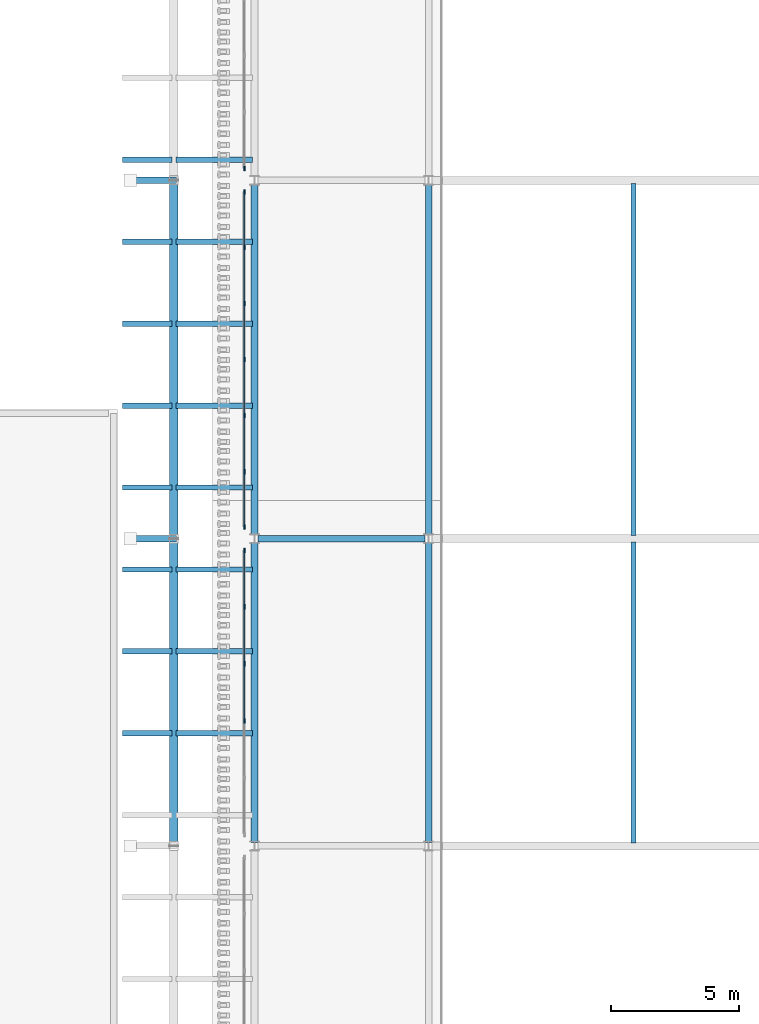
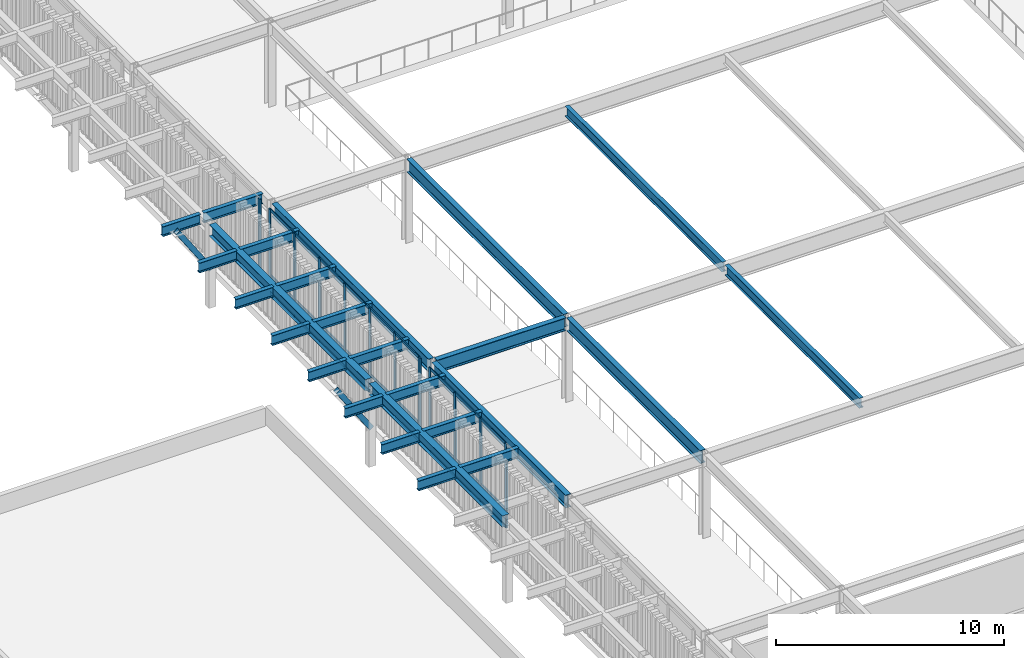
# One storey, part 49 of 126: 43 members, 23 beams, 3 elements without a shape of their own.
"""IFC4 building model written with IfcOpenShell, lengths in metres."""

import ifcopenshell
import ifcopenshell.guid

model = None  # the IFC model being written
_history = None  # IfcOwnerHistory: only IFC2X3 demands one
_inside = {}  # id of a spatial element -> (the spatial element, [elements in it])
_under = {}  # id of a project, library or spatial element -> (it, [spatial elements below it])
_declared = {}  # id of a project -> (the project, [libraries it declares])
_typed = {}  # id of a type object -> (the type object, [elements of that type])
_made_of = {}  # id of a material, layer set ... -> (it, [elements and type objects made of it])


def new_model(schema):
    """Start an empty IFC model of exactly this schema.

    Asked for "IFC4X3", IfcOpenShell would pick the latest addendum, in which some entities
    have other attributes; the version numbers below select the first issue.
    IFC2X3 requires an IfcOwnerHistory on every rooted entity: one is made here for all.
    """
    global model, _history
    if schema == "IFC4X3":
        model = ifcopenshell.file(schema_version=(4, 3, 0, 0))
    else:
        model = ifcopenshell.file(schema=schema)
    _inside.clear()
    _under.clear()
    _declared.clear()
    _typed.clear()
    _made_of.clear()
    _history = None
    if model.schema == "IFC2X3":
        org = make("IfcOrganization", Name="unknown")
        user = make(
            "IfcPersonAndOrganization",
            ThePerson=make("IfcPerson", FamilyName="unknown"),
            TheOrganization=org,
        )
        app = make(
            "IfcApplication",
            ApplicationDeveloper=org,
            Version="unknown",
            ApplicationFullName="unknown",
            ApplicationIdentifier="unknown",
        )
        _history = make(
            "IfcOwnerHistory",
            OwningUser=user,
            OwningApplication=app,
            ChangeAction="ADDED",
            CreationDate=0,
        )
    return model


def make(cls, **values):
    """One entity of the class cls with the attributes given. An attribute that is None is left unset."""
    return model.create_entity(
        cls, **{name: value for name, value in values.items() if value is not None}
    )


def rooted(cls, **values):
    """An entity with a GlobalId (a new one), such as an element, a storey or a relation."""
    return make(cls, GlobalId=ifcopenshell.guid.new(), OwnerHistory=_history, **values)


def si_unit(unit_type, name, prefix=None):
    """IfcSIUnit, for example si_unit("LENGTHUNIT", "METRE", prefix="MILLI")."""
    return make("IfcSIUnit", UnitType=unit_type, Prefix=prefix, Name=name)


def derived_unit(unit_type, elements):
    """IfcDerivedUnit: a product of units, each with its exponent."""
    return make(
        "IfcDerivedUnit",
        Elements=[
            make("IfcDerivedUnitElement", Unit=unit, Exponent=power)
            for unit, power in elements
        ],
        UnitType=unit_type,
    )


def assignment(units):
    """IfcUnitAssignment: the units of a project."""
    return None if units is None else make("IfcUnitAssignment", Units=units)


def point(xyz):
    """IfcCartesianPoint."""
    return None if xyz is None else make("IfcCartesianPoint", Coordinates=xyz)


def direction(xyz):
    """IfcDirection."""
    return None if xyz is None else make("IfcDirection", DirectionRatios=xyz)


def frame(location, z_axis=None, x_axis=None):
    """IfcAxis2Placement3D, a coordinate frame: its origin and axes. An axis left out is left unset."""
    return make(
        "IfcAxis2Placement3D",
        Location=point(location),
        Axis=direction(z_axis),
        RefDirection=direction(x_axis),
    )


def frame_2d(location, x_axis=None):
    """IfcAxis2Placement2D, a coordinate frame in the plane: its origin and x axis."""
    return make(
        "IfcAxis2Placement2D", Location=point(location), RefDirection=direction(x_axis)
    )


def origin():
    """The frame at (0, 0, 0) with its axes left unset."""
    return frame((0.0, 0.0, 0.0))


def origin_2d():
    """The frame at (0, 0) in the plane with its x axis left unset."""
    return frame_2d((0.0, 0.0))


def place(relative_to, where):
    """IfcLocalPlacement: puts the frame where relative to a parent placement (None: the world)."""
    return make(
        "IfcLocalPlacement", PlacementRelTo=relative_to, RelativePlacement=where
    )


def context(
    kind, dimensions, precision=None, world=None, true_north=None, identifier=None
):
    """IfcGeometricRepresentationContext, for example the 3D "Model" context."""
    return make(
        "IfcGeometricRepresentationContext",
        ContextIdentifier=identifier,
        ContextType=kind,
        CoordinateSpaceDimension=dimensions,
        Precision=precision,
        WorldCoordinateSystem=world,
        TrueNorth=true_north,
    )


def subcontext(parent, identifier, kind, view, scale=None):
    """IfcGeometricRepresentationSubContext, for example "Body" below "Model"."""
    return make(
        "IfcGeometricRepresentationSubContext",
        ContextIdentifier=identifier,
        ContextType=kind,
        ParentContext=parent,
        TargetScale=scale,
        TargetView=view,
    )


def project(units=None, contexts=None):
    """IfcProject with its units and contexts."""
    return rooted(
        "IfcProject",
        Name="project",
        RepresentationContexts=contexts,
        UnitsInContext=assignment(units),
    )


def spatial(cls, under=None, at=None, **own):
    """A site, building, storey or space (cls), placed at a placement, below another one or the project."""
    s = rooted(cls, ObjectPlacement=at, **own)
    if under is not None:
        _under.setdefault(under.id(), (under, []))[1].append(s)
    return s


def profile(cls, at=None, kind="AREA", **sizes):
    """A parametric profile (cls). Its sizes go by their IFC names, for example OverallWidth=200.0."""
    return make(cls, ProfileType=kind, Position=at, **sizes)


def rectangle(**sizes):
    """IfcRectangleProfileDef."""
    return profile("IfcRectangleProfileDef", **sizes)


def hollow_rectangle(**sizes):
    """IfcRectangleHollowProfileDef."""
    return profile("IfcRectangleHollowProfileDef", **sizes)


def i_section(**sizes):
    """IfcIShapeProfileDef."""
    return profile("IfcIShapeProfileDef", **sizes)


def extrude(swept, where, along, depth):
    """IfcExtrudedAreaSolid: the profile swept, set in the frame where, extruded along a direction by depth."""
    return make(
        "IfcExtrudedAreaSolid",
        SweptArea=swept,
        Position=where,
        ExtrudedDirection=direction(along),
        Depth=depth,
    )


def shape(context_of_items, identifier, shape_type, items):
    """IfcShapeRepresentation: the items that make up one representation, for example the "Body"."""
    return make(
        "IfcShapeRepresentation",
        ContextOfItems=context_of_items,
        RepresentationIdentifier=identifier,
        RepresentationType=shape_type,
        Items=items,
    )


def material(Name=None, Category=None):
    """IfcMaterial."""
    return make("IfcMaterial", Name=Name, Category=Category)


def layer(
    of_material, thickness, ventilated=None, Name=None, Category=None, Priority=None
):
    """IfcMaterialLayer: one layer of a wall or slab, of a material (None: an air gap)."""
    return make(
        "IfcMaterialLayer",
        Material=of_material,
        LayerThickness=thickness,
        IsVentilated=ventilated,
        Name=Name,
        Category=Category,
        Priority=Priority,
    )


def layer_set(layers, Name=None):
    """IfcMaterialLayerSet."""
    return make("IfcMaterialLayerSet", MaterialLayers=layers, LayerSetName=Name)


def material_profile(
    of_material, cross_section, Name=None, Category=None, Priority=None
):
    """IfcMaterialProfile: a cross section and its material."""
    return make(
        "IfcMaterialProfile",
        Name=Name,
        Material=of_material,
        Profile=cross_section,
        Priority=Priority,
        Category=Category,
    )


def profile_set(profiles, Name=None, composite=None):
    """IfcMaterialProfileSet."""
    return make(
        "IfcMaterialProfileSet",
        Name=Name,
        MaterialProfiles=profiles,
        CompositeProfile=composite,
    )


def made_of(thing, what):
    """Note that an element or type object is made of a material, layer set ...; save() writes the relation."""
    if what is not None:
        _made_of.setdefault(what.id(), (what, []))[1].append(thing)
    return thing


def type_object(cls, material=None, **own):
    """A type object (cls), such as IfcWallType, which elements share."""
    return made_of(rooted(cls, **own), material)


def element(
    cls,
    number,
    at=None,
    inside=None,
    cuts=None,
    type_object=None,
    material=None,
    context=None,
    identifier="Body",
    shape_type=None,
    held_by="IfcProductDefinitionShape",
    body=None,
    shapes=None,
    **own,
):
    """One element of the class cls, such as IfcWall. Its Tag is "e" and its number.

    at: its placement. inside: the storey or other place that contains it. cuts: it is an
    opening in that element (IfcRelVoidsElement). A single representation is given by context,
    identifier, shape_type and body (its items); several are given by shapes. held_by: the class
    of the entity that holds the representations. save() writes the other relations.
    """
    e = rooted(cls, Tag="e%d" % number, ObjectPlacement=at, **own)
    if body is not None:
        shapes = [shape(context, identifier, shape_type, body)]
    if shapes is not None:
        e.Representation = make(held_by, Representations=shapes)
    if inside is not None:
        _inside.setdefault(inside.id(), (inside, []))[1].append(e)
    if cuts is not None:
        rooted(
            "IfcRelVoidsElement", RelatingBuildingElement=cuts, RelatedOpeningElement=e
        )
    if type_object is not None:
        _typed.setdefault(type_object.id(), (type_object, []))[1].append(e)
    return made_of(e, material)


def aggregate(whole, parts):
    """IfcRelAggregates: a whole, such as a stair, and the parts it consists of."""
    return rooted("IfcRelAggregates", RelatingObject=whole, RelatedObjects=parts)


def save(model, path):
    """Write the relations noted so far, then the file.

    IfcRelAggregates (storeys below a building ...), IfcRelContainedInSpatialStructure (elements
    in a storey), IfcRelDefinesByType, IfcRelAssociatesMaterial and IfcRelDeclares: one each for
    every whole, place, type object, material and project.
    """
    for whole, parts in _under.values():
        aggregate(whole, parts)
    for where, things in _inside.values():
        rooted(
            "IfcRelContainedInSpatialStructure",
            RelatedElements=things,
            RelatingStructure=where,
        )
    for kind, things in _typed.values():
        rooted("IfcRelDefinesByType", RelatedObjects=things, RelatingType=kind)
    for what, things in _made_of.values():
        rooted("IfcRelAssociatesMaterial", RelatedObjects=things, RelatingMaterial=what)
    for by, libraries in _declared.values():
        rooted("IfcRelDeclares", RelatingContext=by, RelatedDefinitions=libraries)
    model.write(path)


model = new_model("IFC4")

# Units and contexts
model_context = context("Model", 3, precision=1e-05, world=origin(), true_north=direction((0.0, 1.0)))
body_context = subcontext(model_context, "Body", "Model", "MODEL_VIEW")
ifc_project = project(units=[si_unit("LENGTHUNIT", "METRE"), si_unit("AREAUNIT", "SQUARE_METRE"), si_unit("VOLUMEUNIT", "CUBIC_METRE"), si_unit("PLANEANGLEUNIT", "RADIAN"), si_unit("MASSUNIT", "GRAM", prefix="KILO"), derived_unit("THERMALTRANSMITTANCEUNIT", [(si_unit("MASSUNIT", "GRAM", prefix="KILO"), 1), (si_unit("TIMEUNIT", "SECOND"), -3), (si_unit("THERMODYNAMICTEMPERATUREUNIT", "KELVIN"), -1)])], contexts=[model_context])

# Site, building, storey
site_placement = place(None, origin())
site = spatial("IfcSite", under=ifc_project, at=site_placement, CompositionType="ELEMENT")
building_placement = place(site_placement, origin())
building = spatial("IfcBuilding", under=site, at=building_placement, Name="Valcora Ridge Arena", CompositionType="ELEMENT")
storey_placement = place(building_placement, frame((0.0, 0.0, 11.39990234375)))
storey = spatial("IfcBuildingStorey", under=building, at=storey_placement, Name="L02", CompositionType="ELEMENT", Elevation=11.39990234375)

# Beams
ifc_material_1 = material(Name="Steel ASTM A572 Grade 50", Category="steel")
ifc_material_profile_1 = material_profile(ifc_material_1, i_section(OverallWidth=0.324951171875, OverallDepth=0.612060546875, WebThickness=0.0126953125, FlangeThickness=0.01904296875, FilletRadius=0.01806640625, at=origin_2d()), Name="W24X104")
ifc_profile_set_1 = profile_set([ifc_material_profile_1], Name="Steel ASTM A572 Grade 50")
beam_type_1 = type_object("IfcBeamType", Name="TY-BEAM-G-COL-W24", PredefinedType="BEAM", material=ifc_profile_set_1)
beam_1_placement = place(storey_placement, frame((134.050048828125, 28.159912109375, 4.174072265625), z_axis=(0.0, 1.0, 0.0), x_axis=(-1.0, 0.0, 0.0)))
element("IfcBeam", 1, at=beam_1_placement, inside=storey, type_object=beam_type_1, Name="G-COL-W24 BEM-G-COL-W24-0005", PredefinedType="BEAM", context=body_context, shape_type="SweptSolid", body=[
    extrude(i_section(OverallWidth=0.324951171875, OverallDepth=0.612060546875, WebThickness=0.0126953125, FlangeThickness=0.01904296875, FilletRadius=0.01806640625, at=origin_2d()), origin(), (0.0, 0.0, 1.0), 11.68017578125),
])
beam_2_placement = place(storey_placement, frame((134.050048828125, 40.159912109375, 4.174072265625), z_axis=(0.0, 1.0, 0.0), x_axis=(-1.0, 0.0, 0.0)))
element("IfcBeam", 2, at=beam_2_placement, inside=storey, type_object=beam_type_1, Name="G-COL-W24 BEM-G-COL-W24-0007", PredefinedType="BEAM", context=body_context, shape_type="SweptSolid", body=[
    extrude(i_section(OverallWidth=0.324951171875, OverallDepth=0.612060546875, WebThickness=0.0126953125, FlangeThickness=0.01904296875, FilletRadius=0.01806640625, at=origin_2d()), origin(), (0.0, 0.0, 1.0), 13.68017578125),
])
ifc_material_profile_2 = material_profile(ifc_material_1, i_section(OverallWidth=0.256103515625, OverallDepth=0.693115234375, WebThickness=0.014404296875, FlangeThickness=0.023681640625, FilletRadius=0.02001953125, at=origin_2d()), Name="W27X114")
ifc_profile_set_2 = profile_set([ifc_material_profile_2], Name="Steel ASTM A572 Grade 50")
beam_type_2 = type_object("IfcBeamType", Name="TY-BEAM-G-W27X114-X", PredefinedType="BEAM", material=ifc_profile_set_2)
beam_3_placement = place(storey_placement, frame((137.340087890625, 40.0, 4.133544921875), z_axis=(1.0, 0.0, 0.0), x_axis=(0.0, 1.0, 0.0)))
element("IfcBeam", 3, at=beam_3_placement, inside=storey, type_object=beam_type_2, Name="G-W27X114-X BEM-G-W27X114-X-0043", PredefinedType="BEAM", context=body_context, shape_type="SweptSolid", body=[
    extrude(i_section(OverallWidth=0.256103515625, OverallDepth=0.693115234375, WebThickness=0.014404296875, FlangeThickness=0.023681640625, FilletRadius=0.02001953125, at=origin_2d()), origin(), (0.0, 0.0, 1.0), 6.52001953125),
])
ifc_material_profile_3 = material_profile(ifc_material_1, i_section(OverallWidth=0.256103515625, OverallDepth=0.693115234375, WebThickness=0.014404296875, FlangeThickness=0.023681640625, FilletRadius=0.02001953125, at=origin_2d()), Name="W27X114")
ifc_profile_set_3 = profile_set([ifc_material_profile_3], Name="Steel ASTM A572 Grade 50")
beam_type_3 = type_object("IfcBeamType", Name="TY-BEAM-G-W27X114-Y", PredefinedType="BEAM", material=ifc_profile_set_3)
beam_4_placement = place(storey_placement, frame((137.199951171875, 28.139892578125, 4.133544921875), z_axis=(0.0, 1.0, 0.0), x_axis=(-1.0, 0.0, 0.0)))
element("IfcBeam", 4, at=beam_4_placement, inside=storey, type_object=beam_type_3, Name="G-W27X114-Y BEM-G-W27X114-Y-0061", PredefinedType="BEAM", context=body_context, shape_type="SweptSolid", body=[
    extrude(i_section(OverallWidth=0.256103515625, OverallDepth=0.693115234375, WebThickness=0.014404296875, FlangeThickness=0.023681640625, FilletRadius=0.02001953125, at=origin_2d()), origin(), (0.0, 0.0, 1.0), 11.72021484375),
])
beam_5_placement = place(storey_placement, frame((137.199951171875, 40.139892578125, 4.133544921875), z_axis=(0.0, 1.0, 0.0), x_axis=(-1.0, 0.0, 0.0)))
element("IfcBeam", 5, at=beam_5_placement, inside=storey, type_object=beam_type_3, Name="G-W27X114-Y BEM-G-W27X114-Y-0062", PredefinedType="BEAM", context=body_context, shape_type="SweptSolid", body=[
    extrude(i_section(OverallWidth=0.256103515625, OverallDepth=0.693115234375, WebThickness=0.014404296875, FlangeThickness=0.023681640625, FilletRadius=0.02001953125, at=origin_2d()), origin(), (0.0, 0.0, 1.0), 13.72021484375),
])
beam_6_placement = place(storey_placement, frame((144.0, 28.139892578125, 4.133544921875), z_axis=(0.0, 1.0, 0.0), x_axis=(-1.0, 0.0, 0.0)))
element("IfcBeam", 6, at=beam_6_placement, inside=storey, type_object=beam_type_3, Name="G-W27X114-Y BEM-G-W27X114-Y-0067", PredefinedType="BEAM", context=body_context, shape_type="SweptSolid", body=[
    extrude(i_section(OverallWidth=0.256103515625, OverallDepth=0.693115234375, WebThickness=0.014404296875, FlangeThickness=0.023681640625, FilletRadius=0.02001953125, at=origin_2d()), origin(), (0.0, 0.0, 1.0), 11.72021484375),
])
beam_7_placement = place(storey_placement, frame((144.0, 40.139892578125, 4.133544921875), z_axis=(0.0, 1.0, 0.0), x_axis=(-1.0, 0.0, 0.0)))
element("IfcBeam", 7, at=beam_7_placement, inside=storey, type_object=beam_type_3, Name="G-W27X114-Y BEM-G-W27X114-Y-0068", PredefinedType="BEAM", context=body_context, shape_type="SweptSolid", body=[
    extrude(i_section(OverallWidth=0.256103515625, OverallDepth=0.693115234375, WebThickness=0.014404296875, FlangeThickness=0.023681640625, FilletRadius=0.02001953125, at=origin_2d()), origin(), (0.0, 0.0, 1.0), 13.72021484375),
])
ifc_material_profile_4 = material_profile(ifc_material_1, i_section(OverallWidth=0.208984375, OverallDepth=0.532958984375, WebThickness=0.01025390625, FlangeThickness=0.015625, FilletRadius=0.01611328125, at=origin_2d()), Name="W21X62")
ifc_profile_set_4 = profile_set([ifc_material_profile_4], Name="Steel ASTM A572 Grade 50")
beam_type_4 = type_object("IfcBeamType", Name="TY-BEAM-RAF-EAVE-W21", PredefinedType="BEAM", material=ifc_profile_set_4)
for number, where, z_axis, x_axis, name in (
    (8, (134.1298828125, 32.39990234375, 4.213623046875), (1.0, 0.0, 0.0), (0.0, 1.0, 0.0), "RAF-EAVE-W21 BEM-RAF-EAVE-W21-0008"),
    (9, (134.1298828125, 35.60009765625, 4.213623046875), (1.0, 0.0, 0.0), (0.0, 1.0, 0.0), "RAF-EAVE-W21 BEM-RAF-EAVE-W21-0009"),
    (10, (134.1298828125, 38.800048828125, 4.213623046875), (1.0, 0.0, 0.0), (0.0, 1.0, 0.0), "RAF-EAVE-W21 BEM-RAF-EAVE-W21-0010"),
    (11, (134.1298828125, 42.0, 4.213623046875), (1.0, 0.0, 0.0), (0.0, 1.0, 0.0), "RAF-EAVE-W21 BEM-RAF-EAVE-W21-0011"),
    (12, (134.1298828125, 45.199951171875, 4.213623046875), (1.0, 0.0, 0.0), (0.0, 1.0, 0.0), "RAF-EAVE-W21 BEM-RAF-EAVE-W21-0012"),
    (13, (134.1298828125, 48.39990234375, 4.213623046875), (1.0, 0.0, 0.0), (0.0, 1.0, 0.0), "RAF-EAVE-W21 BEM-RAF-EAVE-W21-0013"),
    (14, (134.1298828125, 51.60009765625, 4.213623046875), (1.0, 0.0, 0.0), (0.0, 1.0, 0.0), "RAF-EAVE-W21 BEM-RAF-EAVE-W21-0014"),
    (15, (134.1298828125, 54.800048828125, 4.213623046875), (1.0, 0.0, 0.0), (0.0, 1.0, 0.0), "RAF-EAVE-W21 BEM-RAF-EAVE-W21-0015"),
):
    element("IfcBeam", number, at=place(storey_placement, frame(where, z_axis=z_axis, x_axis=x_axis)), inside=storey, type_object=beam_type_4, Name=name, PredefinedType="BEAM", context=body_context, shape_type="SweptSolid", body=[
        extrude(i_section(OverallWidth=0.208984375, OverallDepth=0.532958984375, WebThickness=0.01025390625, FlangeThickness=0.015625, FilletRadius=0.01611328125, at=origin_2d()), origin(), (0.0, 0.0, 1.0), 2.990234375),
    ])
ifc_material_profile_5 = material_profile(ifc_material_1, i_section(OverallWidth=0.208984375, OverallDepth=0.532958984375, WebThickness=0.01025390625, FlangeThickness=0.015625, FilletRadius=0.01611328125, at=origin_2d()), Name="W21X62")
ifc_profile_set_5 = profile_set([ifc_material_profile_5], Name="Steel ASTM A572 Grade 50")
beam_type_5 = type_object("IfcBeamType", Name="TY-BEAM-RAF-TIP-W21", PredefinedType="BEAM", material=ifc_profile_set_5)
for number, where, z_axis, x_axis, name in (
    (16, (132.050048828125, 32.39990234375, 4.213623046875), (1.0, 0.0, 0.0), (0.0, 1.0, 0.0), "RAF-TIP-W21 BEM-RAF-TIP-W21-0008"),
    (17, (132.050048828125, 35.60009765625, 4.213623046875), (1.0, 0.0, 0.0), (0.0, 1.0, 0.0), "RAF-TIP-W21 BEM-RAF-TIP-W21-0009"),
    (18, (132.050048828125, 38.800048828125, 4.213623046875), (1.0, 0.0, 0.0), (0.0, 1.0, 0.0), "RAF-TIP-W21 BEM-RAF-TIP-W21-0010"),
    (19, (132.050048828125, 42.0, 4.213623046875), (1.0, 0.0, 0.0), (0.0, 1.0, 0.0), "RAF-TIP-W21 BEM-RAF-TIP-W21-0011"),
    (20, (132.050048828125, 45.199951171875, 4.213623046875), (1.0, 0.0, 0.0), (0.0, 1.0, 0.0), "RAF-TIP-W21 BEM-RAF-TIP-W21-0012"),
    (21, (132.050048828125, 48.39990234375, 4.213623046875), (1.0, 0.0, 0.0), (0.0, 1.0, 0.0), "RAF-TIP-W21 BEM-RAF-TIP-W21-0013"),
    (22, (132.050048828125, 51.60009765625, 4.213623046875), (1.0, 0.0, 0.0), (0.0, 1.0, 0.0), "RAF-TIP-W21 BEM-RAF-TIP-W21-0014"),
    (23, (132.050048828125, 54.800048828125, 4.213623046875), (1.0, 0.0, 0.0), (0.0, 1.0, 0.0), "RAF-TIP-W21 BEM-RAF-TIP-W21-0015"),
):
    element("IfcBeam", number, at=place(storey_placement, frame(where, z_axis=z_axis, x_axis=x_axis)), inside=storey, type_object=beam_type_5, Name=name, PredefinedType="BEAM", context=body_context, shape_type="SweptSolid", body=[
        extrude(i_section(OverallWidth=0.208984375, OverallDepth=0.532958984375, WebThickness=0.01025390625, FlangeThickness=0.015625, FilletRadius=0.01611328125, at=origin_2d()), origin(), (0.0, 0.0, 1.0), 1.919921875),
    ])

# Curtain wall, members
ifc_material_2 = material(Name="Anodised dark bronze architectural aluminium 6063-T6", Category="aluminium")
ifc_layer_1 = layer(ifc_material_2, 0.179931640625, Name="Anodised dark bronze architectural aluminium 6063-T6")
ifc_layer_set_1 = layer_set([ifc_layer_1], Name="Anodised dark bronze architectural aluminium 6063-T6")
curtain_wall_type_1 = type_object("IfcCurtainWallType", Name="TY-CURTAINWALL-CW-V2-GLAZ-111X45", PredefinedType="NOTDEFINED", material=ifc_layer_set_1)
curtain_wall_1_placement = place(storey_placement, origin())
curtain_wall_1 = element("IfcCurtainWall", 24, at=curtain_wall_1_placement, inside=storey, type_object=curtain_wall_type_1, Name="CW-V2-GLAZ-111X45 CW-0062", PredefinedType="NOTDEFINED")
ifc_material_profile_6 = material_profile(ifc_material_2, rectangle(XDim=0.06005859375, YDim=0.179931640625, at=origin_2d()), Name="ALU MULLION 60x180")
ifc_profile_set_6 = profile_set([ifc_material_profile_6], Name="Anodised dark bronze architectural aluminium 6063-T6")
member_type_1 = type_object("IfcMemberType", Name="TY-MEM-CWM-60x180", PredefinedType="MULLION", material=ifc_profile_set_6)
member_1_placement = place(storey_placement, frame((136.800048828125, 32.88525390625, 0.0), z_axis=(0.0, 0.0, 1.0), x_axis=(-1.0, 0.0, 0.0)))
member_1 = element("IfcMember", 25, at=member_1_placement, type_object=member_type_1, Name="CW-0062/CWM-60x180/M02", PredefinedType="MULLION", context=body_context, shape_type="SweptSolid", body=[
    extrude(rectangle(XDim=0.06005859375, YDim=0.179931640625, at=origin_2d()), origin(), (0.0, 0.0, 1.0), 4.47998046875),
])
member_2_placement = place(storey_placement, frame((136.800048828125, 35.11474609375, 0.0), z_axis=(0.0, 0.0, 1.0), x_axis=(-1.0, 0.0, 0.0)))
member_2 = element("IfcMember", 26, at=member_2_placement, type_object=member_type_1, Name="CW-0062/CWM-60x180/M03", PredefinedType="MULLION", context=body_context, shape_type="SweptSolid", body=[
    extrude(rectangle(XDim=0.06005859375, YDim=0.179931640625, at=origin_2d()), origin(), (0.0, 0.0, 1.0), 4.47998046875),
])
member_3_placement = place(storey_placement, frame((136.800048828125, 37.343994140625, 0.0), z_axis=(0.0, 0.0, 1.0), x_axis=(-1.0, 0.0, 0.0)))
member_3 = element("IfcMember", 27, at=member_3_placement, type_object=member_type_1, Name="CW-0062/CWM-60x180/M04", PredefinedType="MULLION", context=body_context, shape_type="SweptSolid", body=[
    extrude(rectangle(XDim=0.06005859375, YDim=0.179931640625, at=origin_2d()), origin(), (0.0, 0.0, 1.0), 4.47998046875),
])
member_4_placement = place(storey_placement, frame((136.800048828125, 39.54345703125, 0.0), z_axis=(0.0, 0.0, 1.0), x_axis=(-1.0, 0.0, 0.0)))
member_4 = element("IfcMember", 28, at=member_4_placement, type_object=member_type_1, Name="CW-0062/CWM-60x180/M05", PredefinedType="MULLION", context=body_context, shape_type="SweptSolid", body=[
    extrude(rectangle(XDim=0.06005859375, YDim=0.179931640625, at=origin_2d()), origin(), (0.0, 0.0, 1.0), 4.47998046875),
])

ifc_layer_2 = layer(ifc_material_2, 0.179931640625, Name="Anodised dark bronze architectural aluminium 6063-T6")
ifc_layer_set_2 = layer_set([ifc_layer_2], Name="Anodised dark bronze architectural aluminium 6063-T6")
curtain_wall_type_2 = type_object("IfcCurtainWallType", Name="TY-CURTAINWALL-CW-V2-GLAZ-131X45", PredefinedType="NOTDEFINED", material=ifc_layer_set_2)
curtain_wall_2_placement = place(storey_placement, origin())
curtain_wall_2 = element("IfcCurtainWall", 29, at=curtain_wall_2_placement, inside=storey, type_object=curtain_wall_type_2, Name="CW-V2-GLAZ-131X45 CW-0063", PredefinedType="NOTDEFINED")
member_5_placement = place(storey_placement, frame((136.800048828125, 40.45654296875, 0.0), z_axis=(0.0, 0.0, 1.0), x_axis=(-1.0, 0.0, 0.0)))
member_5 = element("IfcMember", 30, at=member_5_placement, type_object=member_type_1, Name="CW-0063/CWM-60x180/M00", PredefinedType="MULLION", context=body_context, shape_type="SweptSolid", body=[
    extrude(rectangle(XDim=0.06005859375, YDim=0.179931640625, at=origin_2d()), origin(), (0.0, 0.0, 1.0), 4.47998046875),
])
member_6_placement = place(storey_placement, frame((136.800048828125, 42.61767578125, 0.0), z_axis=(0.0, 0.0, 1.0), x_axis=(-1.0, 0.0, 0.0)))
member_6 = element("IfcMember", 31, at=member_6_placement, type_object=member_type_1, Name="CW-0063/CWM-60x180/M01", PredefinedType="MULLION", context=body_context, shape_type="SweptSolid", body=[
    extrude(rectangle(XDim=0.06005859375, YDim=0.179931640625, at=origin_2d()), origin(), (0.0, 0.0, 1.0), 4.47998046875),
])
member_7_placement = place(storey_placement, frame((136.800048828125, 44.808837890625, 0.0), z_axis=(0.0, 0.0, 1.0), x_axis=(-1.0, 0.0, 0.0)))
member_7 = element("IfcMember", 32, at=member_7_placement, type_object=member_type_1, Name="CW-0063/CWM-60x180/M02", PredefinedType="MULLION", context=body_context, shape_type="SweptSolid", body=[
    extrude(rectangle(XDim=0.06005859375, YDim=0.179931640625, at=origin_2d()), origin(), (0.0, 0.0, 1.0), 4.47998046875),
])
member_8_placement = place(storey_placement, frame((136.800048828125, 47.0, 0.0), z_axis=(0.0, 0.0, 1.0), x_axis=(-1.0, 0.0, 0.0)))
member_8 = element("IfcMember", 33, at=member_8_placement, type_object=member_type_1, Name="CW-0063/CWM-60x180/M03", PredefinedType="MULLION", context=body_context, shape_type="SweptSolid", body=[
    extrude(rectangle(XDim=0.06005859375, YDim=0.179931640625, at=origin_2d()), origin(), (0.0, 0.0, 1.0), 4.47998046875),
])
member_9_placement = place(storey_placement, frame((136.800048828125, 49.191162109375, 0.0), z_axis=(0.0, 0.0, 1.0), x_axis=(-1.0, 0.0, 0.0)))
member_9 = element("IfcMember", 34, at=member_9_placement, type_object=member_type_1, Name="CW-0063/CWM-60x180/M04", PredefinedType="MULLION", context=body_context, shape_type="SweptSolid", body=[
    extrude(rectangle(XDim=0.06005859375, YDim=0.179931640625, at=origin_2d()), origin(), (0.0, 0.0, 1.0), 4.47998046875),
])
member_10_placement = place(storey_placement, frame((136.800048828125, 51.38232421875, 0.0), z_axis=(0.0, 0.0, 1.0), x_axis=(-1.0, 0.0, 0.0)))
member_10 = element("IfcMember", 35, at=member_10_placement, type_object=member_type_1, Name="CW-0063/CWM-60x180/M05", PredefinedType="MULLION", context=body_context, shape_type="SweptSolid", body=[
    extrude(rectangle(XDim=0.06005859375, YDim=0.179931640625, at=origin_2d()), origin(), (0.0, 0.0, 1.0), 4.47998046875),
])
member_11_placement = place(storey_placement, frame((136.800048828125, 53.54345703125, 0.0), z_axis=(0.0, 0.0, 1.0), x_axis=(-1.0, 0.0, 0.0)))
member_11 = element("IfcMember", 36, at=member_11_placement, type_object=member_type_1, Name="CW-0063/CWM-60x180/M06", PredefinedType="MULLION", context=body_context, shape_type="SweptSolid", body=[
    extrude(rectangle(XDim=0.06005859375, YDim=0.179931640625, at=origin_2d()), origin(), (0.0, 0.0, 1.0), 4.47998046875),
])

# Curtain wall, member
curtain_wall_3_placement = place(storey_placement, origin())
curtain_wall_3 = element("IfcCurtainWall", 37, at=curtain_wall_3_placement, inside=storey, type_object=curtain_wall_type_1, Name="CW-V2-GLAZ-111X45 CW-0064", PredefinedType="NOTDEFINED")
member_12_placement = place(storey_placement, frame((136.800048828125, 54.45654296875, 0.0), z_axis=(0.0, 0.0, 1.0), x_axis=(-1.0, 0.0, 0.0)))
member_12 = element("IfcMember", 38, at=member_12_placement, type_object=member_type_1, Name="CW-0064/CWM-60x180/M00", PredefinedType="MULLION", context=body_context, shape_type="SweptSolid", body=[
    extrude(rectangle(XDim=0.06005859375, YDim=0.179931640625, at=origin_2d()), origin(), (0.0, 0.0, 1.0), 4.47998046875),
])
aggregate(curtain_wall_3, [member_12])

# Member
ifc_material_profile_7 = material_profile(ifc_material_2, rectangle(XDim=0.050048828125, YDim=0.14990234375, at=origin_2d()), Name="ALU TRANSOM 50x150")
ifc_profile_set_7 = profile_set([ifc_material_profile_7], Name="Anodised dark bronze architectural aluminium 6063-T6")
member_type_2 = type_object("IfcMemberType", Name="TY-MEM-CWT-50x150", PredefinedType="USERDEFINED", material=ifc_profile_set_7)
member_13_placement = place(storey_placement, frame((136.800048828125, 32.91552734375, 0.025146484375), z_axis=(0.0, 1.0, 0.0), x_axis=(-1.0, 0.0, 0.0)))
member_13 = element("IfcMember", 39, at=member_13_placement, type_object=member_type_2, Name="CW-0062/CWT-50x150/T02-00", ObjectType="TRANSOM", PredefinedType="USERDEFINED", context=body_context, shape_type="SweptSolid", body=[
    extrude(rectangle(XDim=0.050048828125, YDim=0.14990234375, at=origin_2d()), origin(), (0.0, 0.0, 1.0), 2.1689453125),
])

member_14_placement = place(storey_placement, frame((136.800048828125, 32.91552734375, 0.9501953125), z_axis=(0.0, 1.0, 0.0), x_axis=(-1.0, 0.0, 0.0)))
member_14 = element("IfcMember", 40, at=member_14_placement, type_object=member_type_2, Name="CW-0062/CWT-50x150/T02-01", ObjectType="TRANSOM", PredefinedType="USERDEFINED", context=body_context, shape_type="SweptSolid", body=[
    extrude(rectangle(XDim=0.050048828125, YDim=0.14990234375, at=origin_2d()), origin(), (0.0, 0.0, 1.0), 2.1689453125),
])

member_15_placement = place(storey_placement, frame((136.800048828125, 32.91552734375, 4.455078125), z_axis=(0.0, 1.0, 0.0), x_axis=(-1.0, 0.0, 0.0)))
member_15 = element("IfcMember", 41, at=member_15_placement, type_object=member_type_2, Name="CW-0062/CWT-50x150/T02-02", ObjectType="TRANSOM", PredefinedType="USERDEFINED", context=body_context, shape_type="SweptSolid", body=[
    extrude(rectangle(XDim=0.050048828125, YDim=0.14990234375, at=origin_2d()), origin(), (0.0, 0.0, 1.0), 2.1689453125),
])

member_16_placement = place(storey_placement, frame((136.800048828125, 35.14453125, 0.025146484375), z_axis=(0.0, 1.0, 0.0), x_axis=(-1.0, 0.0, 0.0)))
member_16 = element("IfcMember", 42, at=member_16_placement, type_object=member_type_2, Name="CW-0062/CWT-50x150/T03-00", ObjectType="TRANSOM", PredefinedType="USERDEFINED", context=body_context, shape_type="SweptSolid", body=[
    extrude(rectangle(XDim=0.050048828125, YDim=0.14990234375, at=origin_2d()), origin(), (0.0, 0.0, 1.0), 2.169921875),
])

member_17_placement = place(storey_placement, frame((136.800048828125, 35.14453125, 0.9501953125), z_axis=(0.0, 1.0, 0.0), x_axis=(-1.0, 0.0, 0.0)))
member_17 = element("IfcMember", 43, at=member_17_placement, type_object=member_type_2, Name="CW-0062/CWT-50x150/T03-01", ObjectType="TRANSOM", PredefinedType="USERDEFINED", context=body_context, shape_type="SweptSolid", body=[
    extrude(rectangle(XDim=0.050048828125, YDim=0.14990234375, at=origin_2d()), origin(), (0.0, 0.0, 1.0), 2.169921875),
])

member_18_placement = place(storey_placement, frame((136.800048828125, 35.14453125, 4.455078125), z_axis=(0.0, 1.0, 0.0), x_axis=(-1.0, 0.0, 0.0)))
member_18 = element("IfcMember", 44, at=member_18_placement, type_object=member_type_2, Name="CW-0062/CWT-50x150/T03-02", ObjectType="TRANSOM", PredefinedType="USERDEFINED", context=body_context, shape_type="SweptSolid", body=[
    extrude(rectangle(XDim=0.050048828125, YDim=0.14990234375, at=origin_2d()), origin(), (0.0, 0.0, 1.0), 2.169921875),
])

member_19_placement = place(storey_placement, frame((136.800048828125, 37.37451171875, 0.025146484375), z_axis=(0.0, 1.0, 0.0), x_axis=(-1.0, 0.0, 0.0)))
member_19 = element("IfcMember", 45, at=member_19_placement, type_object=member_type_2, Name="CW-0062/CWT-50x150/T04-00", ObjectType="TRANSOM", PredefinedType="USERDEFINED", context=body_context, shape_type="SweptSolid", body=[
    extrude(rectangle(XDim=0.050048828125, YDim=0.14990234375, at=origin_2d()), origin(), (0.0, 0.0, 1.0), 2.138916015625),
])

member_20_placement = place(storey_placement, frame((136.800048828125, 37.37451171875, 0.9501953125), z_axis=(0.0, 1.0, 0.0), x_axis=(-1.0, 0.0, 0.0)))
member_20 = element("IfcMember", 46, at=member_20_placement, type_object=member_type_2, Name="CW-0062/CWT-50x150/T04-01", ObjectType="TRANSOM", PredefinedType="USERDEFINED", context=body_context, shape_type="SweptSolid", body=[
    extrude(rectangle(XDim=0.050048828125, YDim=0.14990234375, at=origin_2d()), origin(), (0.0, 0.0, 1.0), 2.138916015625),
])

member_21_placement = place(storey_placement, frame((136.800048828125, 37.37451171875, 4.455078125), z_axis=(0.0, 1.0, 0.0), x_axis=(-1.0, 0.0, 0.0)))
member_21 = element("IfcMember", 47, at=member_21_placement, type_object=member_type_2, Name="CW-0062/CWT-50x150/T04-02", ObjectType="TRANSOM", PredefinedType="USERDEFINED", context=body_context, shape_type="SweptSolid", body=[
    extrude(rectangle(XDim=0.050048828125, YDim=0.14990234375, at=origin_2d()), origin(), (0.0, 0.0, 1.0), 2.138916015625),
])

aggregate(curtain_wall_1, [member_1, member_2, member_3, member_4, member_13, member_14, member_15, member_16, member_17, member_18, member_19, member_20, member_21])

member_22_placement = place(storey_placement, frame((136.800048828125, 40.486572265625, 0.025146484375), z_axis=(0.0, 1.0, 0.0), x_axis=(-1.0, 0.0, 0.0)))
member_22 = element("IfcMember", 48, at=member_22_placement, type_object=member_type_2, Name="CW-0063/CWT-50x150/T00-00", ObjectType="TRANSOM", PredefinedType="USERDEFINED", context=body_context, shape_type="SweptSolid", body=[
    extrude(rectangle(XDim=0.050048828125, YDim=0.14990234375, at=origin_2d()), origin(), (0.0, 0.0, 1.0), 2.100830078125),
])

member_23_placement = place(storey_placement, frame((136.800048828125, 40.486572265625, 0.9501953125), z_axis=(0.0, 1.0, 0.0), x_axis=(-1.0, 0.0, 0.0)))
member_23 = element("IfcMember", 49, at=member_23_placement, type_object=member_type_2, Name="CW-0063/CWT-50x150/T00-01", ObjectType="TRANSOM", PredefinedType="USERDEFINED", context=body_context, shape_type="SweptSolid", body=[
    extrude(rectangle(XDim=0.050048828125, YDim=0.14990234375, at=origin_2d()), origin(), (0.0, 0.0, 1.0), 2.100830078125),
])

member_24_placement = place(storey_placement, frame((136.800048828125, 40.486572265625, 4.455078125), z_axis=(0.0, 1.0, 0.0), x_axis=(-1.0, 0.0, 0.0)))
member_24 = element("IfcMember", 50, at=member_24_placement, type_object=member_type_2, Name="CW-0063/CWT-50x150/T00-02", ObjectType="TRANSOM", PredefinedType="USERDEFINED", context=body_context, shape_type="SweptSolid", body=[
    extrude(rectangle(XDim=0.050048828125, YDim=0.14990234375, at=origin_2d()), origin(), (0.0, 0.0, 1.0), 2.100830078125),
])

member_25_placement = place(storey_placement, frame((136.800048828125, 42.6474609375, 0.025146484375), z_axis=(0.0, 1.0, 0.0), x_axis=(-1.0, 0.0, 0.0)))
member_25 = element("IfcMember", 51, at=member_25_placement, type_object=member_type_2, Name="CW-0063/CWT-50x150/T01-00", ObjectType="TRANSOM", PredefinedType="USERDEFINED", context=body_context, shape_type="SweptSolid", body=[
    extrude(rectangle(XDim=0.050048828125, YDim=0.14990234375, at=origin_2d()), origin(), (0.0, 0.0, 1.0), 2.131103515625),
])

member_26_placement = place(storey_placement, frame((136.800048828125, 42.6474609375, 0.9501953125), z_axis=(0.0, 1.0, 0.0), x_axis=(-1.0, 0.0, 0.0)))
member_26 = element("IfcMember", 52, at=member_26_placement, type_object=member_type_2, Name="CW-0063/CWT-50x150/T01-01", ObjectType="TRANSOM", PredefinedType="USERDEFINED", context=body_context, shape_type="SweptSolid", body=[
    extrude(rectangle(XDim=0.050048828125, YDim=0.14990234375, at=origin_2d()), origin(), (0.0, 0.0, 1.0), 2.131103515625),
])

member_27_placement = place(storey_placement, frame((136.800048828125, 42.6474609375, 4.455078125), z_axis=(0.0, 1.0, 0.0), x_axis=(-1.0, 0.0, 0.0)))
member_27 = element("IfcMember", 53, at=member_27_placement, type_object=member_type_2, Name="CW-0063/CWT-50x150/T01-02", ObjectType="TRANSOM", PredefinedType="USERDEFINED", context=body_context, shape_type="SweptSolid", body=[
    extrude(rectangle(XDim=0.050048828125, YDim=0.14990234375, at=origin_2d()), origin(), (0.0, 0.0, 1.0), 2.131103515625),
])

member_28_placement = place(storey_placement, frame((136.800048828125, 44.83837890625, 0.025146484375), z_axis=(0.0, 1.0, 0.0), x_axis=(-1.0, 0.0, 0.0)))
member_28 = element("IfcMember", 54, at=member_28_placement, type_object=member_type_2, Name="CW-0063/CWT-50x150/T02-00", ObjectType="TRANSOM", PredefinedType="USERDEFINED", context=body_context, shape_type="SweptSolid", body=[
    extrude(rectangle(XDim=0.050048828125, YDim=0.14990234375, at=origin_2d()), origin(), (0.0, 0.0, 1.0), 2.131103515625),
])

member_29_placement = place(storey_placement, frame((136.800048828125, 44.83837890625, 0.9501953125), z_axis=(0.0, 1.0, 0.0), x_axis=(-1.0, 0.0, 0.0)))
member_29 = element("IfcMember", 55, at=member_29_placement, type_object=member_type_2, Name="CW-0063/CWT-50x150/T02-01", ObjectType="TRANSOM", PredefinedType="USERDEFINED", context=body_context, shape_type="SweptSolid", body=[
    extrude(rectangle(XDim=0.050048828125, YDim=0.14990234375, at=origin_2d()), origin(), (0.0, 0.0, 1.0), 2.131103515625),
])

member_30_placement = place(storey_placement, frame((136.800048828125, 44.83837890625, 4.455078125), z_axis=(0.0, 1.0, 0.0), x_axis=(-1.0, 0.0, 0.0)))
member_30 = element("IfcMember", 56, at=member_30_placement, type_object=member_type_2, Name="CW-0063/CWT-50x150/T02-02", ObjectType="TRANSOM", PredefinedType="USERDEFINED", context=body_context, shape_type="SweptSolid", body=[
    extrude(rectangle(XDim=0.050048828125, YDim=0.14990234375, at=origin_2d()), origin(), (0.0, 0.0, 1.0), 2.131103515625),
])

member_31_placement = place(storey_placement, frame((136.800048828125, 47.030517578125, 0.025146484375), z_axis=(0.0, 1.0, 0.0), x_axis=(-1.0, 0.0, 0.0)))
member_31 = element("IfcMember", 57, at=member_31_placement, type_object=member_type_2, Name="CW-0063/CWT-50x150/T03-00", ObjectType="TRANSOM", PredefinedType="USERDEFINED", context=body_context, shape_type="SweptSolid", body=[
    extrude(rectangle(XDim=0.050048828125, YDim=0.14990234375, at=origin_2d()), origin(), (0.0, 0.0, 1.0), 2.131103515625),
])

member_32_placement = place(storey_placement, frame((136.800048828125, 47.030517578125, 0.9501953125), z_axis=(0.0, 1.0, 0.0), x_axis=(-1.0, 0.0, 0.0)))
member_32 = element("IfcMember", 58, at=member_32_placement, type_object=member_type_2, Name="CW-0063/CWT-50x150/T03-01", ObjectType="TRANSOM", PredefinedType="USERDEFINED", context=body_context, shape_type="SweptSolid", body=[
    extrude(rectangle(XDim=0.050048828125, YDim=0.14990234375, at=origin_2d()), origin(), (0.0, 0.0, 1.0), 2.131103515625),
])

member_33_placement = place(storey_placement, frame((136.800048828125, 47.030517578125, 4.455078125), z_axis=(0.0, 1.0, 0.0), x_axis=(-1.0, 0.0, 0.0)))
member_33 = element("IfcMember", 59, at=member_33_placement, type_object=member_type_2, Name="CW-0063/CWT-50x150/T03-02", ObjectType="TRANSOM", PredefinedType="USERDEFINED", context=body_context, shape_type="SweptSolid", body=[
    extrude(rectangle(XDim=0.050048828125, YDim=0.14990234375, at=origin_2d()), origin(), (0.0, 0.0, 1.0), 2.131103515625),
])

member_34_placement = place(storey_placement, frame((136.800048828125, 49.221435546875, 0.025146484375), z_axis=(0.0, 1.0, 0.0), x_axis=(-1.0, 0.0, 0.0)))
member_34 = element("IfcMember", 60, at=member_34_placement, type_object=member_type_2, Name="CW-0063/CWT-50x150/T04-00", ObjectType="TRANSOM", PredefinedType="USERDEFINED", context=body_context, shape_type="SweptSolid", body=[
    extrude(rectangle(XDim=0.050048828125, YDim=0.14990234375, at=origin_2d()), origin(), (0.0, 0.0, 1.0), 2.131103515625),
])

member_35_placement = place(storey_placement, frame((136.800048828125, 49.221435546875, 0.9501953125), z_axis=(0.0, 1.0, 0.0), x_axis=(-1.0, 0.0, 0.0)))
member_35 = element("IfcMember", 61, at=member_35_placement, type_object=member_type_2, Name="CW-0063/CWT-50x150/T04-01", ObjectType="TRANSOM", PredefinedType="USERDEFINED", context=body_context, shape_type="SweptSolid", body=[
    extrude(rectangle(XDim=0.050048828125, YDim=0.14990234375, at=origin_2d()), origin(), (0.0, 0.0, 1.0), 2.131103515625),
])

member_36_placement = place(storey_placement, frame((136.800048828125, 49.221435546875, 4.455078125), z_axis=(0.0, 1.0, 0.0), x_axis=(-1.0, 0.0, 0.0)))
member_36 = element("IfcMember", 62, at=member_36_placement, type_object=member_type_2, Name="CW-0063/CWT-50x150/T04-02", ObjectType="TRANSOM", PredefinedType="USERDEFINED", context=body_context, shape_type="SweptSolid", body=[
    extrude(rectangle(XDim=0.050048828125, YDim=0.14990234375, at=origin_2d()), origin(), (0.0, 0.0, 1.0), 2.131103515625),
])

member_37_placement = place(storey_placement, frame((136.800048828125, 51.41259765625, 0.025146484375), z_axis=(0.0, 1.0, 0.0), x_axis=(-1.0, 0.0, 0.0)))
member_37 = element("IfcMember", 63, at=member_37_placement, type_object=member_type_2, Name="CW-0063/CWT-50x150/T05-00", ObjectType="TRANSOM", PredefinedType="USERDEFINED", context=body_context, shape_type="SweptSolid", body=[
    extrude(rectangle(XDim=0.050048828125, YDim=0.14990234375, at=origin_2d()), origin(), (0.0, 0.0, 1.0), 2.100830078125),
])

member_38_placement = place(storey_placement, frame((136.800048828125, 51.41259765625, 0.9501953125), z_axis=(0.0, 1.0, 0.0), x_axis=(-1.0, 0.0, 0.0)))
member_38 = element("IfcMember", 64, at=member_38_placement, type_object=member_type_2, Name="CW-0063/CWT-50x150/T05-01", ObjectType="TRANSOM", PredefinedType="USERDEFINED", context=body_context, shape_type="SweptSolid", body=[
    extrude(rectangle(XDim=0.050048828125, YDim=0.14990234375, at=origin_2d()), origin(), (0.0, 0.0, 1.0), 2.100830078125),
])

member_39_placement = place(storey_placement, frame((136.800048828125, 51.41259765625, 4.455078125), z_axis=(0.0, 1.0, 0.0), x_axis=(-1.0, 0.0, 0.0)))
member_39 = element("IfcMember", 65, at=member_39_placement, type_object=member_type_2, Name="CW-0063/CWT-50x150/T05-02", ObjectType="TRANSOM", PredefinedType="USERDEFINED", context=body_context, shape_type="SweptSolid", body=[
    extrude(rectangle(XDim=0.050048828125, YDim=0.14990234375, at=origin_2d()), origin(), (0.0, 0.0, 1.0), 2.100830078125),
])

aggregate(curtain_wall_2, [member_5, member_6, member_7, member_8, member_9, member_10, member_11, member_22, member_23, member_24, member_25, member_26, member_27, member_28, member_29, member_30, member_31, member_32, member_33, member_34, member_35, member_36, member_37, member_38, member_39])

# Members
ifc_material_3 = material(Name="Steel ASTM A500 Grade C", Category="steel")
ifc_material_profile_8 = material_profile(ifc_material_3, hollow_rectangle(XDim=0.25, YDim=0.25, WallThickness=0.012451171875, at=origin_2d()), Name="HSS250X250X12")
ifc_profile_set_8 = profile_set([ifc_material_profile_8], Name="Steel ASTM A500 Grade C")
member_type_3 = type_object("IfcMemberType", Name="TY-MEMBER-KBG-250", PredefinedType="BRACE", material=ifc_profile_set_8)
for number, where, z_axis, x_axis, name in (
    (66, (134.050048828125, 40.0, 2.0), (-0.55317758564, 0.0, 0.833063358182), (0.0, -1.0, 0.0), "KBG-250 Knee Brace"),
    (67, (134.050048828125, 54.0, 2.0), (-0.55317758564, 0.0, 0.833063358182), (0.0, -1.0, 0.0), "KBG-250 Knee Brace"),
):
    element("IfcMember", number, at=place(storey_placement, frame(where, z_axis=z_axis, x_axis=x_axis)), inside=storey, type_object=member_type_3, Name=name, PredefinedType="BRACE", context=body_context, shape_type="SweptSolid", body=[
        extrude(hollow_rectangle(XDim=0.25, YDim=0.25, WallThickness=0.012451171875, at=origin_2d()), origin(), (0.0, 0.0, 1.0), 3.072998046875),
    ])
ifc_material_profile_9 = material_profile(ifc_material_1, i_section(OverallWidth=0.208984375, OverallDepth=0.532958984375, WebThickness=0.01025390625, FlangeThickness=0.015625, FilletRadius=0.01611328125, at=origin_2d()), Name="W21X62")
ifc_profile_set_9 = profile_set([ifc_material_profile_9], Name="Steel ASTM A572 Grade 50")
member_type_4 = type_object("IfcMemberType", Name="TY-MEMBER-PUR-CRT-W21X62", PredefinedType="PURLIN", material=ifc_profile_set_9)
member_40_placement = place(storey_placement, frame((152.0, 28.1201171875, 4.213623046875), z_axis=(0.0, 1.0, 0.0), x_axis=(-1.0, 0.0, 0.0)))
element("IfcMember", 68, at=member_40_placement, inside=storey, type_object=member_type_4, Name="PUR-CRT-W21X62 MBR-PR-PUR-CRT-W21X62-0001", PredefinedType="PURLIN", context=body_context, shape_type="SweptSolid", body=[
    extrude(i_section(OverallWidth=0.208984375, OverallDepth=0.532958984375, WebThickness=0.01025390625, FlangeThickness=0.015625, FilletRadius=0.01611328125, at=origin_2d()), origin(), (0.0, 0.0, 1.0), 11.759765625),
])
member_41_placement = place(storey_placement, frame((152.0, 40.1201171875, 4.213623046875), z_axis=(0.0, 1.0, 0.0), x_axis=(-1.0, 0.0, 0.0)))
element("IfcMember", 69, at=member_41_placement, inside=storey, type_object=member_type_4, Name="PUR-CRT-W21X62 MBR-PR-PUR-CRT-W21X62-0004", PredefinedType="PURLIN", context=body_context, shape_type="SweptSolid", body=[
    extrude(i_section(OverallWidth=0.208984375, OverallDepth=0.532958984375, WebThickness=0.01025390625, FlangeThickness=0.015625, FilletRadius=0.01611328125, at=origin_2d()), origin(), (0.0, 0.0, 1.0), 13.759765625),
])

save(model, "model.ifc")
